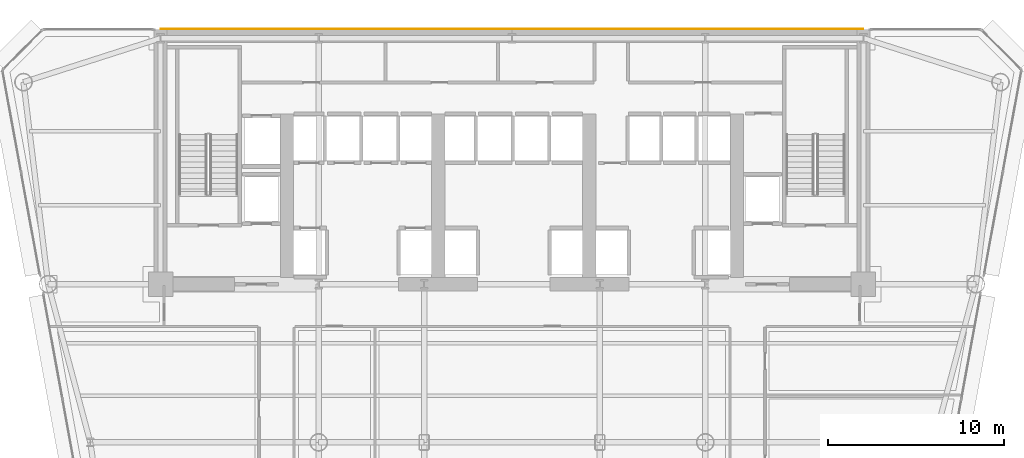
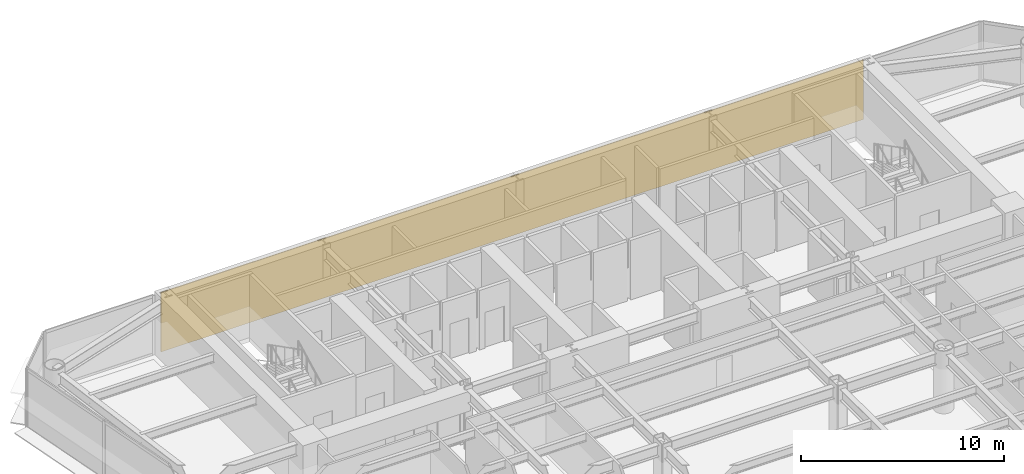
# One storey, part 13 of 14: 1 covering.
"""IFC4 building model written with IfcOpenShell, lengths in metres."""

from ifc_helpers import new_model, si_unit, direction, frame, origin, place, context, subcontext, project, spatial, polyline, outline, extrude, material, layer, layer_set, type_object, element, save


model = new_model("IFC4")

# Units and contexts
model_context = context("Model", 3, precision=1e-05, world=origin(), true_north=direction((0.0, 1.0)))
body_context = subcontext(model_context, "Body", "Model", "MODEL_VIEW")
ifc_project = project(units=[si_unit("LENGTHUNIT", "METRE"), si_unit("AREAUNIT", "SQUARE_METRE"), si_unit("VOLUMEUNIT", "CUBIC_METRE"), si_unit("PLANEANGLEUNIT", "RADIAN"), si_unit("MASSUNIT", "GRAM", prefix="KILO")], contexts=[model_context])

# Site, building, storey
site_placement = place(None, origin())
site = spatial("IfcSite", under=ifc_project, at=site_placement, CompositionType="ELEMENT")
building_placement = place(site_placement, origin())
building = spatial("IfcBuilding", under=site, at=building_placement, Name="Vaeldorn Concourse Tower", CompositionType="ELEMENT")
storey_placement = place(building_placement, frame((0.0, 0.0, 88.199951171875)))
storey = spatial("IfcBuildingStorey", under=building, at=storey_placement, Name="L22", CompositionType="ELEMENT", Elevation=88.199951171875)

# Covering
ifc_material = material(Name="Anodised Bronze Aluminium", Category="aluminium")
ifc_layer = layer(ifc_material, 0.050048828125)
ifc_layer_set = layer_set([ifc_layer], Name="Anodised Bronze Aluminium")
covering_type = type_object("IfcCoveringType", Name="COV-CLAD-BRONZE", PredefinedType="CLADDING", material=ifc_layer_set)
covering_placement = place(storey_placement, origin())
element("IfcCovering", 1, at=covering_placement, inside=storey, type_object=covering_type, Name="Rear Core Bronze Spandrel Cladding L22", PredefinedType="CLADDING", context=body_context, shape_type="SweptSolid", body=[
    extrude(outline(polyline([(14.0, 51.0), (54.0, 51.0), (54.0, 51.050048828125), (14.0, 51.050048828125), (14.0, 51.0)])), origin(), (0.0, 0.0, 1.0), 3.580078125),
])

save(model, "model.ifc")
